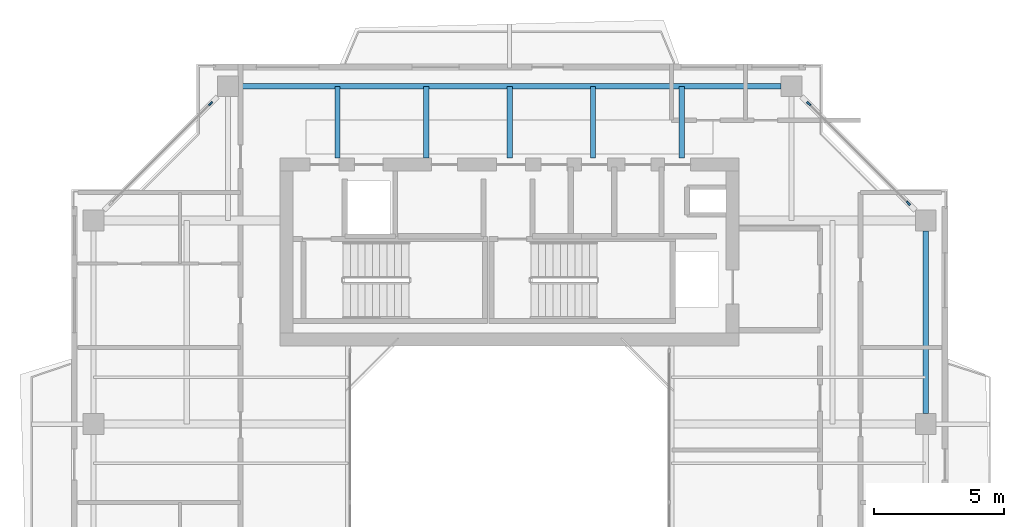
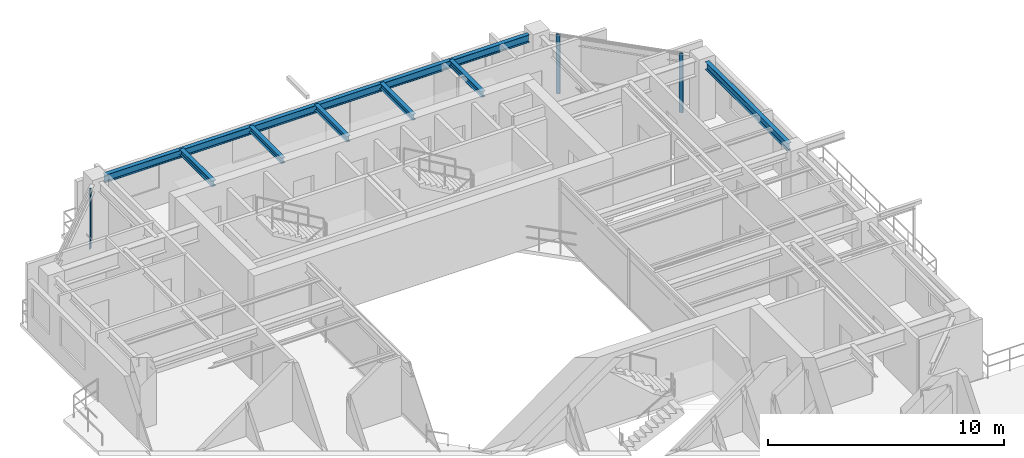
# One storey, part 8 of 15: 7 beams, 3 members, 2 elements without a shape of their own.
"""IFC4 building model written with IfcOpenShell, lengths in metres."""

from ifc_helpers import new_model, si_unit, direction, frame, origin, origin_2d, place, context, subcontext, project, spatial, rectangle, i_section, extrude, source, transform, mapped, material, layer, layer_set, material_profile, profile_set, type_object, element, aggregate, save


model = new_model("IFC4")

# Units and contexts
model_context = context("Model", 3, precision=1e-05, world=origin(), true_north=direction((0.0, 1.0)))
body_context = subcontext(model_context, "Body", "Model", "MODEL_VIEW")
ifc_project = project(units=[si_unit("LENGTHUNIT", "METRE"), si_unit("AREAUNIT", "SQUARE_METRE"), si_unit("VOLUMEUNIT", "CUBIC_METRE"), si_unit("PLANEANGLEUNIT", "RADIAN"), si_unit("MASSUNIT", "GRAM", prefix="KILO"), si_unit("THERMODYNAMICTEMPERATUREUNIT", "KELVIN"), si_unit("POWERUNIT", "WATT")], contexts=[model_context])

# Site, building, storey
site_placement = place(None, origin())
site = spatial("IfcSite", under=ifc_project, at=site_placement, CompositionType="ELEMENT")
building_placement = place(site_placement, origin())
building = spatial("IfcBuilding", under=site, at=building_placement, Name="Qiaomeng Ring Towers", CompositionType="ELEMENT")
storey_placement = place(building_placement, frame((0.0, 0.0, 213.25)))
storey = spatial("IfcBuildingStorey", under=building, at=storey_placement, Name="L62", CompositionType="ELEMENT", Elevation=213.25)

# Beams
ifc_material_1 = material(Name="Steel Q355B", Category="steel")
ifc_material_profile_1 = material_profile(ifc_material_1, i_section(OverallWidth=0.198974609375, OverallDepth=0.39599609375, WebThickness=0.007080078125, FlangeThickness=0.010986328125, FilletRadius=0.01611328125, at=origin_2d()), Name="HN 396x199x7x11")
ifc_profile_set_1 = profile_set([ifc_material_profile_1], Name="Steel Q355B")
beam_type_1 = type_object("IfcBeamType", Name="STR-BM-HN396", PredefinedType="SPANDREL", material=ifc_profile_set_1)
shared_shape_1 = source(origin(), body_context, "Body", "SweptSolid", [
    extrude(i_section(OverallWidth=0.198974609375, OverallDepth=0.39599609375, WebThickness=0.007080078125, FlangeThickness=0.010986328125, FilletRadius=0.01611328125, at=origin_2d()), origin(), (0.0, 0.0, 1.0), 20.8017578125),
])
beam_1_placement = place(storey_placement, frame((29.40087890625, 38.949951171875, 2.8720703125), z_axis=(-1.0, 0.0, 0.0), x_axis=(0.0, -1.0, 0.0)))
element("IfcBeam", 1, at=beam_1_placement, inside=storey, type_object=beam_type_1, Name="L62 beam STR-SP-L62-T1-N2-N1", PredefinedType="SPANDREL", context=body_context, shape_type="MappedRepresentation", body=[
    mapped(shared_shape_1, transform((0.0, 0.0, 0.0), x_axis=(1.0, 0.0, 0.0), y_axis=(0.0, 1.0, 0.0), z_axis=(0.0, 0.0, 1.0), scale=1.0)),
])
shared_shape_2 = source(origin(), body_context, "Body", "SweptSolid", [
    extrude(i_section(OverallWidth=0.198974609375, OverallDepth=0.39599609375, WebThickness=0.007080078125, FlangeThickness=0.010986328125, FilletRadius=0.01611328125, at=origin_2d()), origin(), (0.0, 0.0, 1.0), 7.001953125),
])
beam_2_placement = place(storey_placement, frame((34.949951171875, 26.39892578125, 2.8720703125), z_axis=(0.0, 1.0, 0.0), x_axis=(-1.0, 0.0, 0.0)))
element("IfcBeam", 2, at=beam_2_placement, inside=storey, type_object=beam_type_1, Name="L62 beam STR-SP-L62-T1-E3-E4", PredefinedType="SPANDREL", context=body_context, shape_type="MappedRepresentation", body=[
    mapped(shared_shape_2, transform((0.0, 0.0, 0.0), x_axis=(1.0, 0.0, 0.0), y_axis=(0.0, 1.0, 0.0), z_axis=(0.0, 0.0, 1.0), scale=1.0)),
])
ifc_material_profile_2 = material_profile(ifc_material_1, i_section(OverallWidth=0.199951171875, OverallDepth=0.2939453125, WebThickness=0.008056640625, FlangeThickness=0.011962890625, FilletRadius=0.01806640625, at=origin_2d()), Name="HM 294x200x8x12")
ifc_profile_set_2 = profile_set([ifc_material_profile_2], Name="Steel Q355B")
beam_type_2 = type_object("IfcBeamType", Name="STR-BM-HM294", PredefinedType="JOIST", material=ifc_profile_set_2)
shared_shape_3 = source(origin(), body_context, "Body", "SweptSolid", [
    extrude(i_section(OverallWidth=0.199951171875, OverallDepth=0.2939453125, WebThickness=0.008056640625, FlangeThickness=0.011962890625, FilletRadius=0.01806640625, at=origin_2d()), origin(), (0.0, 0.0, 1.0), 2.75),
])
for number, where, z_axis, x_axis, name in (
    (3, (12.39990234375, 36.199951171875, 2.923095703125), (0.0, 1.0, 0.0), (-1.0, 0.0, 0.0), "L62 beam STR-JST-L62-T1N-1"),
    (4, (15.800048828125, 36.199951171875, 2.923095703125), (0.0, 1.0, 0.0), (-1.0, 0.0, 0.0), "L62 beam STR-JST-L62-T1N-2"),
    (5, (19.0, 36.199951171875, 2.923095703125), (0.0, 1.0, 0.0), (-1.0, 0.0, 0.0), "L62 beam STR-JST-L62-T1N-3"),
    (6, (22.199951171875, 36.199951171875, 2.923095703125), (0.0, 1.0, 0.0), (-1.0, 0.0, 0.0), "L62 beam STR-JST-L62-T1N-4"),
    (7, (25.60009765625, 36.199951171875, 2.923095703125), (0.0, 1.0, 0.0), (-1.0, 0.0, 0.0), "L62 beam STR-JST-L62-T1N-5"),
):
    element("IfcBeam", number, at=place(storey_placement, frame(where, z_axis=z_axis, x_axis=x_axis)), inside=storey, type_object=beam_type_2, Name=name, PredefinedType="JOIST", context=body_context, shape_type="MappedRepresentation", body=[
        mapped(shared_shape_3, transform((0.0, 0.0, 0.0), x_axis=(1.0, 0.0, 0.0), y_axis=(0.0, 1.0, 0.0), z_axis=(0.0, 0.0, 1.0), scale=1.0)),
    ])

# Curtain wall, members
ifc_material_2 = material(Name="Fluorocarbon dark-grey aluminium", Category="aluminium")
ifc_layer = layer(ifc_material_2, 0.14990234375, Name="Fluorocarbon dark-grey aluminium")
ifc_layer_set = layer_set([ifc_layer], Name="Fluorocarbon dark-grey aluminium")
curtain_wall_type = type_object("IfcCurtainWallType", Name="ARC-CW-3", PredefinedType="NOTDEFINED", material=ifc_layer_set)
curtain_wall_1_placement = place(storey_placement, origin())
curtain_wall_1 = element("IfcCurtainWall", 8, at=curtain_wall_1_placement, inside=storey, type_object=curtain_wall_type, Name="L62 Curtain Wall CW3", PredefinedType="NOTDEFINED")
ifc_material_profile_3 = material_profile(ifc_material_2, rectangle(XDim=0.070068359375, YDim=0.179931640625, at=origin_2d()), Name="ALU MULL 70x180")
ifc_profile_set_3 = profile_set([ifc_material_profile_3], Name="Fluorocarbon dark-grey aluminium")
member_type = type_object("IfcMemberType", Name="ARC-CWM-160", PredefinedType="MULLION", material=ifc_profile_set_3)
shared_shape_4 = source(origin(), body_context, "Body", "SweptSolid", [
    extrude(rectangle(XDim=0.070068359375, YDim=0.179931640625, at=origin_2d()), origin(), (0.0, 0.0, 1.0), 3.070068359375),
])
member_1_placement = place(storey_placement, frame((34.28515625, 34.46484375, 0.0), z_axis=(0.0, 0.0, 1.0), x_axis=(-0.707106781187, -0.707106781187, 0.0)))
member_1 = element("IfcMember", 9, at=member_1_placement, type_object=member_type, Name="CW3 mullion 1", PredefinedType="MULLION", context=body_context, shape_type="MappedRepresentation", body=[
    mapped(shared_shape_4, transform((0.0, 0.0, 0.0), x_axis=(1.0, 0.0, 0.0), y_axis=(0.0, 1.0, 0.0), z_axis=(0.0, 0.0, 1.0), scale=1.0)),
])
member_2_placement = place(storey_placement, frame((30.46484375, 38.28515625, 0.0), z_axis=(0.0, 0.0, 1.0), x_axis=(-0.707106781187, -0.707106781187, 0.0)))
member_2 = element("IfcMember", 10, at=member_2_placement, type_object=member_type, Name="CW3 mullion 2", PredefinedType="MULLION", context=body_context, shape_type="MappedRepresentation", body=[
    mapped(shared_shape_4, transform((0.0, 0.0, 0.0), x_axis=(1.0, 0.0, 0.0), y_axis=(0.0, 1.0, 0.0), z_axis=(0.0, 0.0, 1.0), scale=1.0)),
])
aggregate(curtain_wall_1, [member_1, member_2])

# Curtain wall, member
curtain_wall_2_placement = place(storey_placement, origin())
curtain_wall_2 = element("IfcCurtainWall", 11, at=curtain_wall_2_placement, inside=storey, type_object=curtain_wall_type, Name="L62 Curtain Wall CW3", PredefinedType="NOTDEFINED")
member_3_placement = place(storey_placement, frame((7.53515625, 38.28515625, 0.0), z_axis=(0.0, 0.0, 1.0), x_axis=(0.707106781187, -0.707106781187, 0.0)))
member_3 = element("IfcMember", 12, at=member_3_placement, type_object=member_type, Name="CW3 mullion 1", PredefinedType="MULLION", context=body_context, shape_type="MappedRepresentation", body=[
    mapped(shared_shape_4, transform((0.0, 0.0, 0.0), x_axis=(1.0, 0.0, 0.0), y_axis=(0.0, 1.0, 0.0), z_axis=(0.0, 0.0, 1.0), scale=1.0)),
])
aggregate(curtain_wall_2, [member_3])

save(model, "model.ifc")
